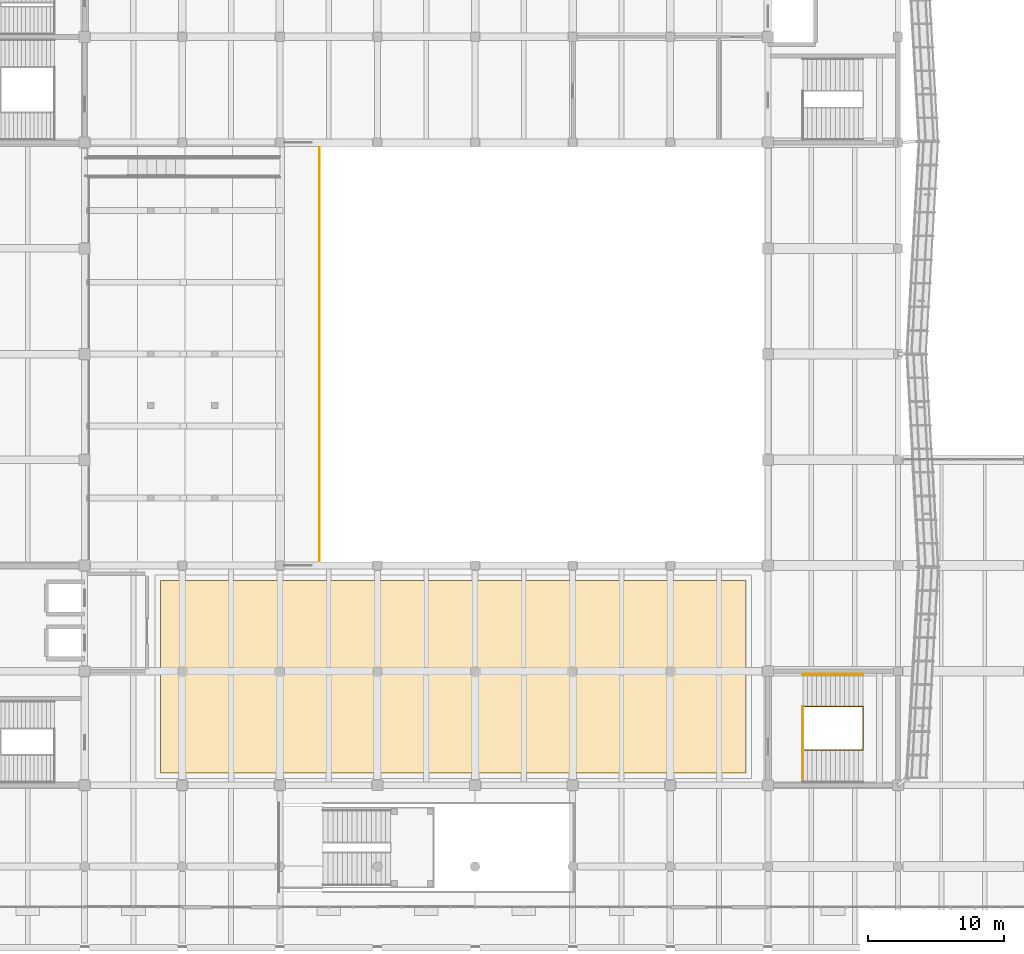
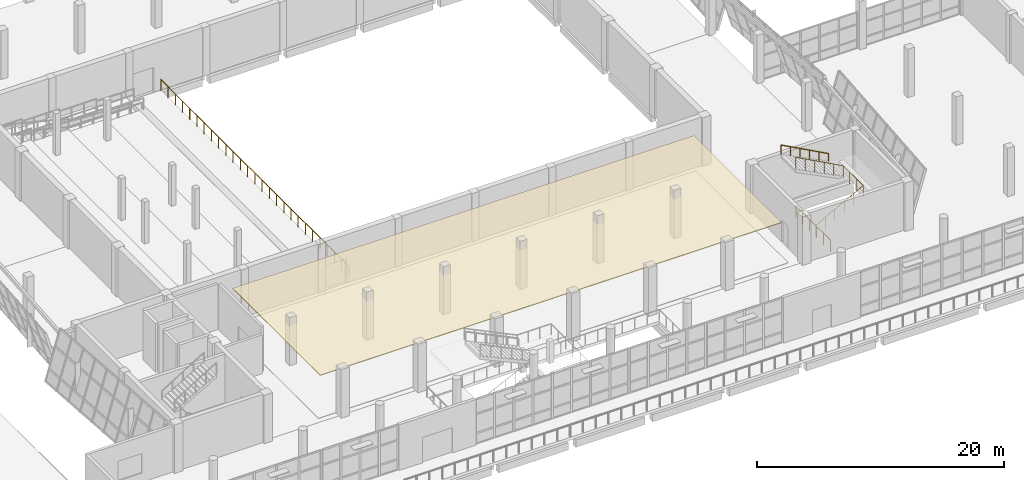
# One storey, part 74 of 79: 4 railings, 1 covering.
"""IFC4 building model written with IfcOpenShell, lengths in metres."""

import ifcopenshell
import ifcopenshell.guid

model = None  # the IFC model being written
_history = None  # IfcOwnerHistory: only IFC2X3 demands one
_inside = {}  # id of a spatial element -> (the spatial element, [elements in it])
_under = {}  # id of a project, library or spatial element -> (it, [spatial elements below it])
_declared = {}  # id of a project -> (the project, [libraries it declares])
_typed = {}  # id of a type object -> (the type object, [elements of that type])
_made_of = {}  # id of a material, layer set ... -> (it, [elements and type objects made of it])


def new_model(schema):
    """Start an empty IFC model of exactly this schema.

    Asked for "IFC4X3", IfcOpenShell would pick the latest addendum, in which some entities
    have other attributes; the version numbers below select the first issue.
    IFC2X3 requires an IfcOwnerHistory on every rooted entity: one is made here for all.
    """
    global model, _history
    if schema == "IFC4X3":
        model = ifcopenshell.file(schema_version=(4, 3, 0, 0))
    else:
        model = ifcopenshell.file(schema=schema)
    _inside.clear()
    _under.clear()
    _declared.clear()
    _typed.clear()
    _made_of.clear()
    _history = None
    if model.schema == "IFC2X3":
        org = make("IfcOrganization", Name="unknown")
        user = make(
            "IfcPersonAndOrganization",
            ThePerson=make("IfcPerson", FamilyName="unknown"),
            TheOrganization=org,
        )
        app = make(
            "IfcApplication",
            ApplicationDeveloper=org,
            Version="unknown",
            ApplicationFullName="unknown",
            ApplicationIdentifier="unknown",
        )
        _history = make(
            "IfcOwnerHistory",
            OwningUser=user,
            OwningApplication=app,
            ChangeAction="ADDED",
            CreationDate=0,
        )
    return model


def make(cls, **values):
    """One entity of the class cls with the attributes given. An attribute that is None is left unset."""
    return model.create_entity(
        cls, **{name: value for name, value in values.items() if value is not None}
    )


def rooted(cls, **values):
    """An entity with a GlobalId (a new one), such as an element, a storey or a relation."""
    return make(cls, GlobalId=ifcopenshell.guid.new(), OwnerHistory=_history, **values)


def si_unit(unit_type, name, prefix=None):
    """IfcSIUnit, for example si_unit("LENGTHUNIT", "METRE", prefix="MILLI")."""
    return make("IfcSIUnit", UnitType=unit_type, Prefix=prefix, Name=name)


def assignment(units):
    """IfcUnitAssignment: the units of a project."""
    return None if units is None else make("IfcUnitAssignment", Units=units)


def point(xyz):
    """IfcCartesianPoint."""
    return None if xyz is None else make("IfcCartesianPoint", Coordinates=xyz)


def direction(xyz):
    """IfcDirection."""
    return None if xyz is None else make("IfcDirection", DirectionRatios=xyz)


def frame(location, z_axis=None, x_axis=None):
    """IfcAxis2Placement3D, a coordinate frame: its origin and axes. An axis left out is left unset."""
    return make(
        "IfcAxis2Placement3D",
        Location=point(location),
        Axis=direction(z_axis),
        RefDirection=direction(x_axis),
    )


def frame_2d(location, x_axis=None):
    """IfcAxis2Placement2D, a coordinate frame in the plane: its origin and x axis."""
    return make(
        "IfcAxis2Placement2D", Location=point(location), RefDirection=direction(x_axis)
    )


def origin():
    """The frame at (0, 0, 0) with its axes left unset."""
    return frame((0.0, 0.0, 0.0))


def origin_2d():
    """The frame at (0, 0) in the plane with its x axis left unset."""
    return frame_2d((0.0, 0.0))


def place(relative_to, where):
    """IfcLocalPlacement: puts the frame where relative to a parent placement (None: the world)."""
    return make(
        "IfcLocalPlacement", PlacementRelTo=relative_to, RelativePlacement=where
    )


def context(
    kind, dimensions, precision=None, world=None, true_north=None, identifier=None
):
    """IfcGeometricRepresentationContext, for example the 3D "Model" context."""
    return make(
        "IfcGeometricRepresentationContext",
        ContextIdentifier=identifier,
        ContextType=kind,
        CoordinateSpaceDimension=dimensions,
        Precision=precision,
        WorldCoordinateSystem=world,
        TrueNorth=true_north,
    )


def subcontext(parent, identifier, kind, view, scale=None):
    """IfcGeometricRepresentationSubContext, for example "Body" below "Model"."""
    return make(
        "IfcGeometricRepresentationSubContext",
        ContextIdentifier=identifier,
        ContextType=kind,
        ParentContext=parent,
        TargetScale=scale,
        TargetView=view,
    )


def project(units=None, contexts=None):
    """IfcProject with its units and contexts."""
    return rooted(
        "IfcProject",
        Name="project",
        RepresentationContexts=contexts,
        UnitsInContext=assignment(units),
    )


def spatial(cls, under=None, at=None, **own):
    """A site, building, storey or space (cls), placed at a placement, below another one or the project."""
    s = rooted(cls, ObjectPlacement=at, **own)
    if under is not None:
        _under.setdefault(under.id(), (under, []))[1].append(s)
    return s


def polyline(points):
    """IfcPolyline through the points."""
    return make("IfcPolyline", Points=[point(p) for p in points])


def profile(cls, at=None, kind="AREA", **sizes):
    """A parametric profile (cls). Its sizes go by their IFC names, for example OverallWidth=200.0."""
    return make(cls, ProfileType=kind, Position=at, **sizes)


def circle(**sizes):
    """IfcCircleProfileDef."""
    return profile("IfcCircleProfileDef", **sizes)


def outline(outer, holes=None, kind="AREA"):
    """IfcArbitraryClosedProfileDef: a profile drawn as a closed curve; with holes, ...WithVoids."""
    if holes is None:
        return make("IfcArbitraryClosedProfileDef", ProfileType=kind, OuterCurve=outer)
    return make(
        "IfcArbitraryProfileDefWithVoids",
        ProfileType=kind,
        OuterCurve=outer,
        InnerCurves=holes,
    )


def extrude(swept, where, along, depth):
    """IfcExtrudedAreaSolid: the profile swept, set in the frame where, extruded along a direction by depth."""
    return make(
        "IfcExtrudedAreaSolid",
        SweptArea=swept,
        Position=where,
        ExtrudedDirection=direction(along),
        Depth=depth,
    )


def shape(context_of_items, identifier, shape_type, items):
    """IfcShapeRepresentation: the items that make up one representation, for example the "Body"."""
    return make(
        "IfcShapeRepresentation",
        ContextOfItems=context_of_items,
        RepresentationIdentifier=identifier,
        RepresentationType=shape_type,
        Items=items,
    )


def material(Name=None, Category=None):
    """IfcMaterial."""
    return make("IfcMaterial", Name=Name, Category=Category)


def layer(
    of_material, thickness, ventilated=None, Name=None, Category=None, Priority=None
):
    """IfcMaterialLayer: one layer of a wall or slab, of a material (None: an air gap)."""
    return make(
        "IfcMaterialLayer",
        Material=of_material,
        LayerThickness=thickness,
        IsVentilated=ventilated,
        Name=Name,
        Category=Category,
        Priority=Priority,
    )


def layer_set(layers, Name=None):
    """IfcMaterialLayerSet."""
    return make("IfcMaterialLayerSet", MaterialLayers=layers, LayerSetName=Name)


def made_of(thing, what):
    """Note that an element or type object is made of a material, layer set ...; save() writes the relation."""
    if what is not None:
        _made_of.setdefault(what.id(), (what, []))[1].append(thing)
    return thing


def type_object(cls, material=None, **own):
    """A type object (cls), such as IfcWallType, which elements share."""
    return made_of(rooted(cls, **own), material)


def element(
    cls,
    number,
    at=None,
    inside=None,
    cuts=None,
    type_object=None,
    material=None,
    context=None,
    identifier="Body",
    shape_type=None,
    held_by="IfcProductDefinitionShape",
    body=None,
    shapes=None,
    **own,
):
    """One element of the class cls, such as IfcWall. Its Tag is "e" and its number.

    at: its placement. inside: the storey or other place that contains it. cuts: it is an
    opening in that element (IfcRelVoidsElement). A single representation is given by context,
    identifier, shape_type and body (its items); several are given by shapes. held_by: the class
    of the entity that holds the representations. save() writes the other relations.
    """
    e = rooted(cls, Tag="e%d" % number, ObjectPlacement=at, **own)
    if body is not None:
        shapes = [shape(context, identifier, shape_type, body)]
    if shapes is not None:
        e.Representation = make(held_by, Representations=shapes)
    if inside is not None:
        _inside.setdefault(inside.id(), (inside, []))[1].append(e)
    if cuts is not None:
        rooted(
            "IfcRelVoidsElement", RelatingBuildingElement=cuts, RelatedOpeningElement=e
        )
    if type_object is not None:
        _typed.setdefault(type_object.id(), (type_object, []))[1].append(e)
    return made_of(e, material)


def aggregate(whole, parts):
    """IfcRelAggregates: a whole, such as a stair, and the parts it consists of."""
    return rooted("IfcRelAggregates", RelatingObject=whole, RelatedObjects=parts)


def save(model, path):
    """Write the relations noted so far, then the file.

    IfcRelAggregates (storeys below a building ...), IfcRelContainedInSpatialStructure (elements
    in a storey), IfcRelDefinesByType, IfcRelAssociatesMaterial and IfcRelDeclares: one each for
    every whole, place, type object, material and project.
    """
    for whole, parts in _under.values():
        aggregate(whole, parts)
    for where, things in _inside.values():
        rooted(
            "IfcRelContainedInSpatialStructure",
            RelatedElements=things,
            RelatingStructure=where,
        )
    for kind, things in _typed.values():
        rooted("IfcRelDefinesByType", RelatedObjects=things, RelatingType=kind)
    for what, things in _made_of.values():
        rooted("IfcRelAssociatesMaterial", RelatedObjects=things, RelatingMaterial=what)
    for by, libraries in _declared.values():
        rooted("IfcRelDeclares", RelatingContext=by, RelatedDefinitions=libraries)
    model.write(path)


model = new_model("IFC4")

# Units and contexts
model_context = context("Model", 3, precision=1e-05, world=origin(), true_north=direction((0.0, 1.0)))
body_context = subcontext(model_context, "Body", "Model", "MODEL_VIEW")
ifc_project = project(units=[si_unit("LENGTHUNIT", "METRE"), si_unit("AREAUNIT", "SQUARE_METRE"), si_unit("VOLUMEUNIT", "CUBIC_METRE"), si_unit("PLANEANGLEUNIT", "RADIAN"), si_unit("MASSUNIT", "GRAM", prefix="KILO")], contexts=[model_context])

# Site, building, storey
site_placement = place(None, origin())
site = spatial("IfcSite", under=ifc_project, at=site_placement, CompositionType="ELEMENT")
building_placement = place(site_placement, origin())
building = spatial("IfcBuilding", under=site, at=building_placement, Name="Pellamere Symphony Hall", CompositionType="ELEMENT")
storey_placement = place(building_placement, frame((0.0, 0.0, 10.199951171875)))
storey = spatial("IfcBuildingStorey", under=building, at=storey_placement, Name="L02", CompositionType="ELEMENT", Elevation=10.199951171875)

# Railings
ifc_material_1 = material(Name="Laminated Low-Iron Acoustic Balustrade Glass", Category="glass")
railing_type_1 = type_object("IfcRailingType", Name="Balustrade BL-01 H1120 Laminated", PredefinedType="BALUSTRADE", material=ifc_material_1)
railing_1_placement = place(storey_placement, frame((76.1201171875, 46.550048828125, 0.0)))
element("IfcRailing", 1, at=railing_1_placement, inside=storey, type_object=railing_type_1, Name="Main Hall Upper Circle Cross-Aisle Concourse Front Balustrade", PredefinedType="BALUSTRADE", context=body_context, shape_type="SweptSolid", body=[
    extrude(circle(Radius=0.02392578125, at=origin_2d()), frame((0.0, 0.0, 1.09619140625), z_axis=(0.0, 1.0, 0.0), x_axis=(-1.0, 0.0, 0.0)), (0.0, 0.0, 1.0), 30.5),
    extrude(circle(Radius=0.02099609375, at=origin_2d()), origin(), (0.0, 0.0, 1.0), 1.072021484375),
    extrude(circle(Radius=0.02099609375, at=origin_2d()), frame((0.0, 1.173095703125, 0.0)), (0.0, 0.0, 1.0), 1.072021484375),
    extrude(circle(Radius=0.02099609375, at=origin_2d()), frame((0.0, 2.34619140625, 0.0)), (0.0, 0.0, 1.0), 1.072021484375),
    extrude(circle(Radius=0.02099609375, at=origin_2d()), frame((0.0, 3.519287109375, 0.0)), (0.0, 0.0, 1.0), 1.072021484375),
    extrude(circle(Radius=0.02099609375, at=origin_2d()), frame((0.0, 4.6923828125, 0.0)), (0.0, 0.0, 1.0), 1.072021484375),
    extrude(circle(Radius=0.02099609375, at=origin_2d()), frame((0.0, 5.865478515625, 0.0)), (0.0, 0.0, 1.0), 1.072021484375),
    extrude(circle(Radius=0.02099609375, at=origin_2d()), frame((0.0, 7.03857421875, 0.0)), (0.0, 0.0, 1.0), 1.072021484375),
    extrude(circle(Radius=0.02099609375, at=origin_2d()), frame((0.0, 8.21142578125, 0.0)), (0.0, 0.0, 1.0), 1.072021484375),
    extrude(circle(Radius=0.02099609375, at=origin_2d()), frame((0.0, 9.384521484375, 0.0)), (0.0, 0.0, 1.0), 1.072021484375),
    extrude(circle(Radius=0.02099609375, at=origin_2d()), frame((0.0, 10.5576171875, 0.0)), (0.0, 0.0, 1.0), 1.072021484375),
    extrude(circle(Radius=0.02099609375, at=origin_2d()), frame((0.0, 11.730712890625, 0.0)), (0.0, 0.0, 1.0), 1.072021484375),
    extrude(circle(Radius=0.02099609375, at=origin_2d()), frame((0.0, 12.90380859375, 0.0)), (0.0, 0.0, 1.0), 1.072021484375),
    extrude(circle(Radius=0.02099609375, at=origin_2d()), frame((0.0, 14.076904296875, 0.0)), (0.0, 0.0, 1.0), 1.072021484375),
    extrude(circle(Radius=0.02099609375, at=origin_2d()), frame((0.0, 15.25, 0.0)), (0.0, 0.0, 1.0), 1.072021484375),
    extrude(circle(Radius=0.02099609375, at=origin_2d()), frame((0.0, 16.423095703125, 0.0)), (0.0, 0.0, 1.0), 1.072021484375),
    extrude(circle(Radius=0.02099609375, at=origin_2d()), frame((0.0, 17.59619140625, 0.0)), (0.0, 0.0, 1.0), 1.072021484375),
    extrude(circle(Radius=0.02099609375, at=origin_2d()), frame((0.0, 18.769287109375, 0.0)), (0.0, 0.0, 1.0), 1.072021484375),
    extrude(circle(Radius=0.02099609375, at=origin_2d()), frame((0.0, 19.9423828125, 0.0)), (0.0, 0.0, 1.0), 1.072021484375),
    extrude(circle(Radius=0.02099609375, at=origin_2d()), frame((0.0, 21.115478515625, 0.0)), (0.0, 0.0, 1.0), 1.072021484375),
    extrude(circle(Radius=0.02099609375, at=origin_2d()), frame((0.0, 22.28857421875, 0.0)), (0.0, 0.0, 1.0), 1.072021484375),
    extrude(circle(Radius=0.02099609375, at=origin_2d()), frame((0.0, 23.46142578125, 0.0)), (0.0, 0.0, 1.0), 1.072021484375),
    extrude(circle(Radius=0.02099609375, at=origin_2d()), frame((0.0, 24.634521484375, 0.0)), (0.0, 0.0, 1.0), 1.072021484375),
    extrude(circle(Radius=0.02099609375, at=origin_2d()), frame((0.0, 25.8076171875, 0.0)), (0.0, 0.0, 1.0), 1.072021484375),
    extrude(circle(Radius=0.02099609375, at=origin_2d()), frame((0.0, 26.980712890625, 0.0)), (0.0, 0.0, 1.0), 1.072021484375),
    extrude(circle(Radius=0.02099609375, at=origin_2d()), frame((0.0, 28.15380859375, 0.0)), (0.0, 0.0, 1.0), 1.072021484375),
    extrude(circle(Radius=0.02099609375, at=origin_2d()), frame((0.0, 29.326904296875, 0.0)), (0.0, 0.0, 1.0), 1.072021484375),
    extrude(circle(Radius=0.02099609375, at=origin_2d()), frame((0.0, 30.5, 0.0)), (0.0, 0.0, 1.0), 1.072021484375),
])
ifc_material_2 = material(Name="Painted Steel CSA G40.21 350W", Category="steel")
railing_type_2 = type_object("IfcRailingType", Name="Guardrail GR-02 H1150 Painted", PredefinedType="GUARDRAIL", material=ifc_material_2)
railing_2_placement = place(storey_placement, frame((111.77490234375, 32.590087890625, 0.0)))
element("IfcRailing", 2, at=railing_2_placement, inside=storey, type_object=railing_type_2, Name="Stair ST08-L02 Continuous Well Guardrail (L02)", PredefinedType="GUARDRAIL", context=body_context, shape_type="SweptSolid", body=[
    extrude(circle(Radius=0.02392578125, at=origin_2d()), frame((0.0, 0.0, 1.1259765625), z_axis=(0.880149953968, 0.0, 0.474695753646), x_axis=(0.0, 1.0, 0.0)), (0.0, 0.0, 1.0), 5.05615234375),
    extrude(circle(Radius=0.02392578125, at=origin_2d()), frame((4.4501953125, 0.0, 3.52587890625), z_axis=(0.0, 1.0, 0.0), x_axis=(-1.0, 0.0, 0.0)), (0.0, 0.0, 1.0), 3.219970703125),
    extrude(circle(Radius=0.02392578125, at=origin_2d()), frame((4.4501953125, 3.219970703125, 3.52587890625), z_axis=(-0.880170127527, 0.0, 0.474658347245), x_axis=(0.0, -1.0, 0.0)), (0.0, 0.0, 1.0), 5.05615234375),
    extrude(circle(Radius=0.02099609375, at=origin_2d()), origin(), (0.0, 0.0, 1.0), 1.101806640625),
    extrude(circle(Radius=0.02099609375, at=origin_2d()), frame((0.89013671875, 0.0, 0.47998046875)), (0.0, 0.0, 1.0), 1.101806640625),
    extrude(circle(Radius=0.02099609375, at=origin_2d()), frame((1.780029296875, 0.0, 0.9599609375)), (0.0, 0.0, 1.0), 1.101806640625),
    extrude(circle(Radius=0.02099609375, at=origin_2d()), frame((2.670166015625, 0.0, 1.440185546875)), (0.0, 0.0, 1.0), 1.101806640625),
    extrude(circle(Radius=0.02099609375, at=origin_2d()), frame((3.56005859375, 0.0, 1.920166015625)), (0.0, 0.0, 1.0), 1.101806640625),
    extrude(circle(Radius=0.02099609375, at=origin_2d()), frame((4.4501953125, 0.0, 2.400146484375)), (0.0, 0.0, 1.0), 1.101806640625),
    extrude(circle(Radius=0.02099609375, at=origin_2d()), frame((4.4501953125, 1.0732421875, 2.400146484375)), (0.0, 0.0, 1.0), 1.101806640625),
    extrude(circle(Radius=0.02099609375, at=origin_2d()), frame((4.4501953125, 2.146728515625, 2.400146484375)), (0.0, 0.0, 1.0), 1.101806640625),
    extrude(circle(Radius=0.02099609375, at=origin_2d()), frame((4.4501953125, 3.219970703125, 2.400146484375)), (0.0, 0.0, 1.0), 1.101806640625),
    extrude(circle(Radius=0.02099609375, at=origin_2d()), frame((3.56005859375, 3.219970703125, 2.880126953125)), (0.0, 0.0, 1.0), 1.101806640625),
    extrude(circle(Radius=0.02099609375, at=origin_2d()), frame((2.670166015625, 3.219970703125, 3.360107421875)), (0.0, 0.0, 1.0), 1.101806640625),
    extrude(circle(Radius=0.02099609375, at=origin_2d()), frame((1.780029296875, 3.219970703125, 3.840087890625)), (0.0, 0.0, 1.0), 1.101806640625),
    extrude(circle(Radius=0.02099609375, at=origin_2d()), frame((0.89013671875, 3.219970703125, 4.320068359375)), (0.0, 0.0, 1.0), 1.101806640625),
    extrude(circle(Radius=0.02099609375, at=origin_2d()), frame((0.0, 3.219970703125, 4.800048828125)), (0.0, 0.0, 1.0), 1.101806640625),
])
railing_3_placement = place(storey_placement, frame((111.77490234375, 30.2099609375, 0.0)))
element("IfcRailing", 3, at=railing_3_placement, inside=storey, type_object=railing_type_2, Name="Stair ST08-L02 Landing Well Slot Guard (L02)", PredefinedType="GUARDRAIL", context=body_context, shape_type="SweptSolid", body=[
    extrude(circle(Radius=0.02392578125, at=origin_2d()), frame((0.0, 0.0, 1.1259765625), z_axis=(0.0, 1.0, 0.0), x_axis=(-1.0, 0.0, 0.0)), (0.0, 0.0, 1.0), 5.60009765625),
    extrude(circle(Radius=0.02099609375, at=origin_2d()), origin(), (0.0, 0.0, 1.0), 1.101806640625),
    extrude(circle(Radius=0.02099609375, at=origin_2d()), frame((0.0, 1.1201171875, 0.0)), (0.0, 0.0, 1.0), 1.101806640625),
    extrude(circle(Radius=0.02099609375, at=origin_2d()), frame((0.0, 2.239990234375, 0.0)), (0.0, 0.0, 1.0), 1.101806640625),
    extrude(circle(Radius=0.02099609375, at=origin_2d()), frame((0.0, 3.360107421875, 0.0)), (0.0, 0.0, 1.0), 1.101806640625),
    extrude(circle(Radius=0.02099609375, at=origin_2d()), frame((0.0, 4.47998046875, 0.0)), (0.0, 0.0, 1.0), 1.101806640625),
    extrude(circle(Radius=0.02099609375, at=origin_2d()), frame((0.0, 5.60009765625, 0.0)), (0.0, 0.0, 1.0), 1.101806640625),
])
ifc_material_3 = material(Name="Stainless Steel AISI 316", Category="steel")
railing_type_3 = type_object("IfcRailingType", Name="Handrail HR-01 H920 Stainless", PredefinedType="HANDRAIL", material=ifc_material_3)
railing_4_placement = place(storey_placement, frame((116.22509765625, 38.179931640625, 2.400146484375)))
element("IfcRailing", 4, at=railing_4_placement, inside=storey, type_object=railing_type_3, Name="Stair ST08-L02 Upper Wall Handrail (L02)", PredefinedType="HANDRAIL", context=body_context, shape_type="SweptSolid", body=[
    extrude(circle(Radius=0.02392578125, at=origin_2d()), frame((0.0, 0.0, 0.89599609375), z_axis=(-0.880170127527, 0.0, 0.474658347245), x_axis=(0.0, -1.0, 0.0)), (0.0, 0.0, 1.0), 5.05615234375),
    extrude(circle(Radius=0.02099609375, at=origin_2d()), origin(), (0.0, 0.0, 1.0), 0.871826171875),
    extrude(circle(Radius=0.02099609375, at=origin_2d()), frame((-0.89013671875, 0.0, 0.47998046875)), (0.0, 0.0, 1.0), 0.871826171875),
    extrude(circle(Radius=0.02099609375, at=origin_2d()), frame((-1.780029296875, 0.0, 0.9599609375)), (0.0, 0.0, 1.0), 0.871826171875),
    extrude(circle(Radius=0.02099609375, at=origin_2d()), frame((-2.670166015625, 0.0, 1.43994140625)), (0.0, 0.0, 1.0), 0.871826171875),
    extrude(circle(Radius=0.02099609375, at=origin_2d()), frame((-3.56005859375, 0.0, 1.919921875)), (0.0, 0.0, 1.0), 0.871826171875),
    extrude(circle(Radius=0.02099609375, at=origin_2d()), frame((-4.4501953125, 0.0, 2.39990234375)), (0.0, 0.0, 1.0), 0.871826171875),
])

# Covering
ifc_material_4 = material(Name="Perforated Birch Acoustic Gallery Suspended Ceiling", Category="wood")
ifc_layer = layer(ifc_material_4, 0.070068359375, Name="Perforated Birch Acoustic Gallery Suspended Ceiling")
ifc_layer_set = layer_set([ifc_layer], Name="Perforated Birch Acoustic Gallery Suspended Ceiling")
covering_type = type_object("IfcCoveringType", Name="Interior Covering AC-04 70mm", PredefinedType="CEILING", material=ifc_layer_set)
covering_placement = place(storey_placement, frame((0.0, 0.0, 3.85009765625)))
element("IfcCovering", 5, at=covering_placement, inside=storey, type_object=covering_type, Name="Acoustic Foyer Suspended Ceiling 4 (L02)", PredefinedType="CEILING", context=body_context, shape_type="SweptSolid", body=[
    extrude(outline(polyline([(64.39990234375, 30.89990234375), (107.60009765625, 30.89990234375), (107.60009765625, 45.10009765625), (64.39990234375, 45.10009765625), (64.39990234375, 30.89990234375)])), origin(), (0.0, 0.0, 1.0), 0.070068359375),
])

save(model, "model.ifc")
